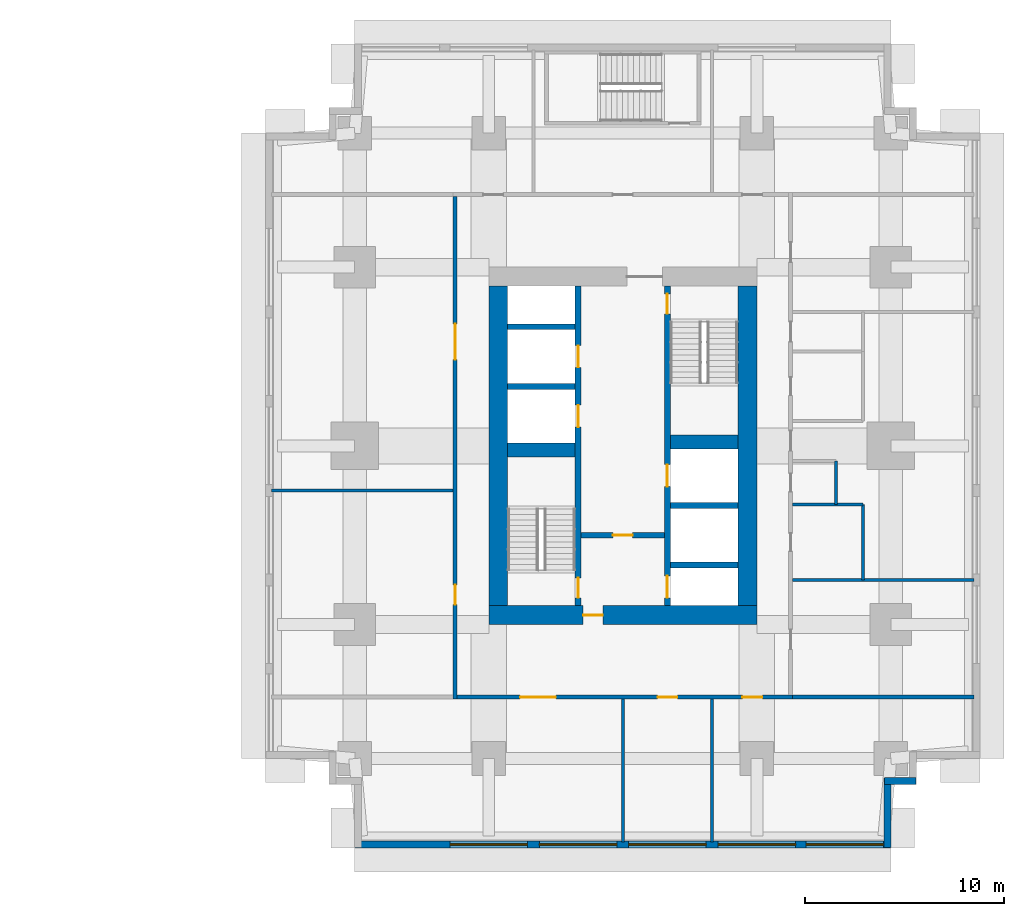
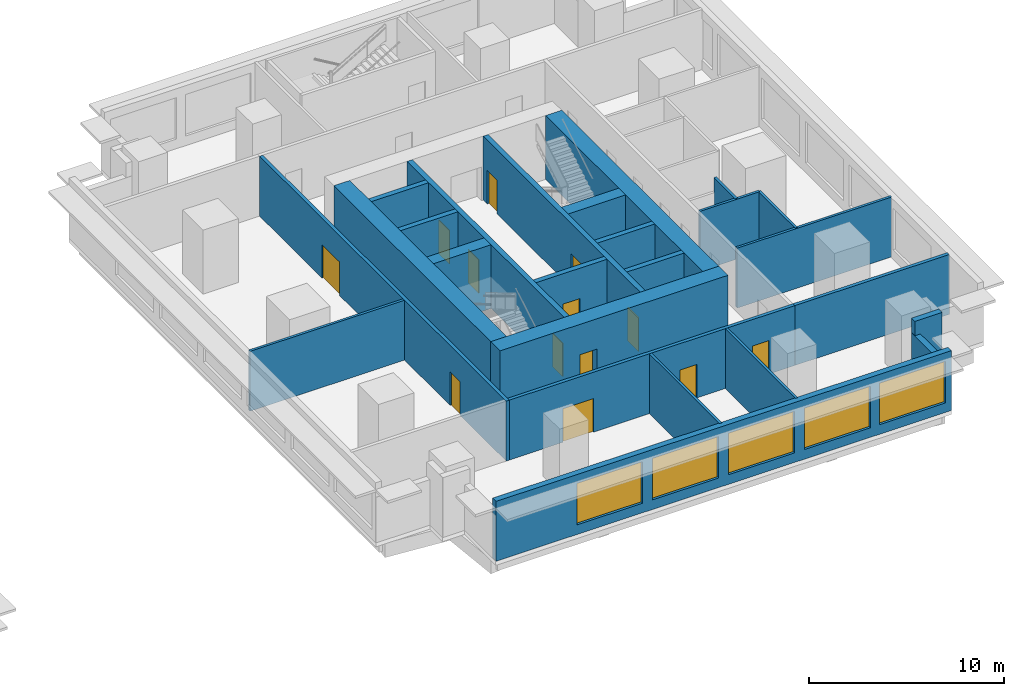
# One storey, part 6 of 11: 25 walls, 13 doors, 5 windows, 18 openings.
"""IFC4 building model written with IfcOpenShell, lengths in metres."""

from ifc_helpers import new_model, si_unit, direction, frame, frame_2d, origin, place, context, subcontext, project, spatial, rectangle, extrude, material, layer, layer_set, type_object, element, fill, save


model = new_model("IFC4")

# Units and contexts
model_context = context("Model", 3, precision=1e-05, world=origin(), true_north=direction((0.0, 1.0)))
body_context = subcontext(model_context, "Body", "Model", "MODEL_VIEW")
ifc_project = project(units=[si_unit("LENGTHUNIT", "METRE"), si_unit("AREAUNIT", "SQUARE_METRE"), si_unit("VOLUMEUNIT", "CUBIC_METRE"), si_unit("PLANEANGLEUNIT", "RADIAN"), si_unit("MASSUNIT", "GRAM", prefix="KILO")], contexts=[model_context])

# Site, building, storey
site_placement = place(None, origin())
site = spatial("IfcSite", under=ifc_project, at=site_placement, CompositionType="ELEMENT")
building_placement = place(site_placement, origin())
building = spatial("IfcBuilding", under=site, at=building_placement, Name="Namib Vertical Campus", CompositionType="ELEMENT")
storey_placement = place(building_placement, frame((0.0, 0.0, 61.0)))
storey = spatial("IfcBuildingStorey", under=building, at=storey_placement, Name="L14", CompositionType="ELEMENT", Elevation=61.0)

# Wall, openings, doors
ifc_material_1 = material(Name="Concrete C60/75", Category="concrete")
ifc_layer_1 = layer(ifc_material_1, 0.300048828125)
ifc_layer_set_1 = layer_set([ifc_layer_1], Name="Concrete C60/75")
wall_type_1 = type_object("IfcWallType", Name="Core inner wall 300", PredefinedType="SHEAR", material=ifc_layer_set_1)
wall_1_placement = place(storey_placement, frame((78.75, 12.199951171875, 0.0), z_axis=(0.0, 0.0, 1.0), x_axis=(0.0, 1.0, 0.0)))
wall_1 = element("IfcWall", 1, at=wall_1_placement, inside=storey, type_object=wall_type_1, Name="Core inner wall B L14 W1", PredefinedType="SHEAR", context=body_context, shape_type="SweptSolid", body=[
    extrude(rectangle(XDim=16.10009765625, YDim=0.300048828125, at=frame_2d((8.050048828125, 0.0))), origin(), (0.0, 0.0, 1.0), 4.0),
])
opening_1_placement = place(wall_1_placement, frame((0.39990234375, 0.0, 0.0)))
opening_1 = element("IfcOpeningElement", 2, at=opening_1_placement, cuts=wall_1, Name="Opening FD1", PredefinedType="OPENING", context=body_context, shape_type="SweptSolid", body=[
    extrude(rectangle(XDim=1.0, YDim=2.10009765625, at=frame_2d((0.5, 1.050048828125))), frame((0.0, 0.159912109375, 0.0), z_axis=(0.0, -1.0, 0.0), x_axis=(1.0, 0.0, 0.0)), (0.0, 0.0, 1.0), 0.320068359375),
])
opening_2_placement = place(wall_1_placement, frame((9.0, 0.0, 0.0)))
opening_2 = element("IfcOpeningElement", 3, at=opening_2_placement, cuts=wall_1, Name="Opening LD1", PredefinedType="OPENING", context=body_context, shape_type="SweptSolid", body=[
    extrude(rectangle(XDim=1.10009765625, YDim=2.10009765625, at=frame_2d((0.550048828125, 1.050048828125))), frame((0.0, 0.159912109375, 0.0), z_axis=(0.0, -1.0, 0.0), x_axis=(1.0, 0.0, 0.0)), (0.0, 0.0, 1.0), 0.320068359375),
])
opening_3_placement = place(wall_1_placement, frame((12.0, 0.0, 0.0)))
opening_3 = element("IfcOpeningElement", 4, at=opening_3_placement, cuts=wall_1, Name="Opening LD1", PredefinedType="OPENING", context=body_context, shape_type="SweptSolid", body=[
    extrude(rectangle(XDim=1.10009765625, YDim=2.10009765625, at=frame_2d((0.550048828125, 1.050048828125))), frame((0.0, 0.159912109375, 0.0), z_axis=(0.0, -1.0, 0.0), x_axis=(1.0, 0.0, 0.0)), (0.0, 0.0, 1.0), 0.320068359375),
])
ifc_material_2 = material(Name="Steel fire door", Category="steel")
door_type_1 = type_object("IfcDoorType", Name="Fire door 1000x2100", OperationType="SINGLE_SWING_RIGHT", PredefinedType="DOOR", material=ifc_material_2)
door_1_placement = place(opening_1_placement, origin())
door_1 = element("IfcDoor", 5, at=door_1_placement, inside=storey, type_object=door_type_1, Name="Stair door FD1 B L14 S1", OperationType="SINGLE_SWING_LEFT", OverallHeight=2.10009765625, OverallWidth=1.0, PredefinedType="DOOR", context=body_context, shape_type="SweptSolid", body=[
    extrude(rectangle(XDim=1.0, YDim=2.10009765625, at=frame_2d((0.5, 1.050048828125))), frame((0.0, 0.02490234375, 0.0), z_axis=(0.0, -1.0, 0.0), x_axis=(1.0, 0.0, 0.0)), (0.0, 0.0, 1.0), 0.050048828125),
])
fill(opening_1, door_1)
ifc_material_3 = material(Name="Stainless steel lift door", Category="steel")
door_type_2 = type_object("IfcDoorType", Name="Lift landing door 1100x2100", OperationType="DOUBLE_DOOR_SLIDING", PredefinedType="DOOR", material=ifc_material_3)
door_2_placement = place(opening_2_placement, origin())
door_2 = element("IfcDoor", 6, at=door_2_placement, inside=storey, type_object=door_type_2, Name="Lift landing door LD1 B-P1 L14", OperationType="DOUBLE_DOOR_SLIDING", OverallHeight=2.10009765625, OverallWidth=1.10009765625, PredefinedType="DOOR", context=body_context, shape_type="SweptSolid", body=[
    extrude(rectangle(XDim=1.10009765625, YDim=2.10009765625, at=frame_2d((0.550048828125, 1.050048828125))), frame((0.0, 0.02490234375, 0.0), z_axis=(0.0, -1.0, 0.0), x_axis=(1.0, 0.0, 0.0)), (0.0, 0.0, 1.0), 0.050048828125),
])
fill(opening_2, door_2)
door_3_placement = place(opening_3_placement, origin())
door_3 = element("IfcDoor", 7, at=door_3_placement, inside=storey, type_object=door_type_2, Name="Lift landing door LD1 B-P2 L14", OperationType="DOUBLE_DOOR_SLIDING", OverallHeight=2.10009765625, OverallWidth=1.10009765625, PredefinedType="DOOR", context=body_context, shape_type="SweptSolid", body=[
    extrude(rectangle(XDim=1.10009765625, YDim=2.10009765625, at=frame_2d((0.550048828125, 1.050048828125))), frame((0.0, 0.02490234375, 0.0), z_axis=(0.0, -1.0, 0.0), x_axis=(1.0, 0.0, 0.0)), (0.0, 0.0, 1.0), 0.050048828125),
])
fill(opening_3, door_3)

wall_2_placement = place(storey_placement, frame((83.25, 12.199951171875, 0.0), z_axis=(0.0, 0.0, 1.0), x_axis=(0.0, 1.0, 0.0)))
wall_2 = element("IfcWall", 8, at=wall_2_placement, inside=storey, type_object=wall_type_1, Name="Core inner wall B L14 W2", PredefinedType="SHEAR", context=body_context, shape_type="SweptSolid", body=[
    extrude(rectangle(XDim=16.10009765625, YDim=0.300048828125, at=frame_2d((8.050048828125, 0.0))), origin(), (0.0, 0.0, 1.0), 4.0),
])
opening_4_placement = place(wall_2_placement, frame((14.699951171875, 0.0, 0.0)))
opening_4 = element("IfcOpeningElement", 9, at=opening_4_placement, cuts=wall_2, Name="Opening FD1", PredefinedType="OPENING", context=body_context, shape_type="SweptSolid", body=[
    extrude(rectangle(XDim=1.0, YDim=2.10009765625, at=frame_2d((0.5, 1.050048828125))), frame((0.0, 0.159912109375, 0.0), z_axis=(0.0, -1.0, 0.0), x_axis=(1.0, 0.0, 0.0)), (0.0, 0.0, 1.0), 0.320068359375),
])
opening_5_placement = place(wall_2_placement, frame((0.39990234375, 0.0, 0.0)))
opening_5 = element("IfcOpeningElement", 10, at=opening_5_placement, cuts=wall_2, Name="Opening LD1", PredefinedType="OPENING", context=body_context, shape_type="SweptSolid", body=[
    extrude(rectangle(XDim=1.10009765625, YDim=2.10009765625, at=frame_2d((0.550048828125, 1.050048828125))), frame((0.0, 0.159912109375, 0.0), z_axis=(0.0, -1.0, 0.0), x_axis=(1.0, 0.0, 0.0)), (0.0, 0.0, 1.0), 0.320068359375),
])
opening_6_placement = place(wall_2_placement, frame((6.0, 0.0, 0.0)))
opening_6 = element("IfcOpeningElement", 11, at=opening_6_placement, cuts=wall_2, Name="Opening LD1", PredefinedType="OPENING", context=body_context, shape_type="SweptSolid", body=[
    extrude(rectangle(XDim=1.10009765625, YDim=2.10009765625, at=frame_2d((0.550048828125, 1.050048828125))), frame((0.0, 0.159912109375, 0.0), z_axis=(0.0, -1.0, 0.0), x_axis=(1.0, 0.0, 0.0)), (0.0, 0.0, 1.0), 0.320068359375),
])
door_4_placement = place(opening_4_placement, frame((1.0, 0.0, 0.0), z_axis=(0.0, 0.0, 1.0), x_axis=(-1.0, 0.0, 0.0)))
door_4 = element("IfcDoor", 12, at=door_4_placement, inside=storey, type_object=door_type_1, Name="Stair door FD1 B L14 S2", OperationType="SINGLE_SWING_LEFT", OverallHeight=2.10009765625, OverallWidth=1.0, PredefinedType="DOOR", context=body_context, shape_type="SweptSolid", body=[
    extrude(rectangle(XDim=1.0, YDim=2.10009765625, at=frame_2d((0.5, 1.050048828125))), frame((0.0, 0.02490234375, 0.0), z_axis=(0.0, -1.0, 0.0), x_axis=(1.0, 0.0, 0.0)), (0.0, 0.0, 1.0), 0.050048828125),
])
fill(opening_4, door_4)
door_5_placement = place(opening_5_placement, origin())
door_5 = element("IfcDoor", 13, at=door_5_placement, inside=storey, type_object=door_type_2, Name="Lift landing door LD1 B-FL1 L14", OperationType="DOUBLE_DOOR_SLIDING", OverallHeight=2.10009765625, OverallWidth=1.10009765625, PredefinedType="DOOR", context=body_context, shape_type="SweptSolid", body=[
    extrude(rectangle(XDim=1.10009765625, YDim=2.10009765625, at=frame_2d((0.550048828125, 1.050048828125))), frame((0.0, 0.02490234375, 0.0), z_axis=(0.0, -1.0, 0.0), x_axis=(1.0, 0.0, 0.0)), (0.0, 0.0, 1.0), 0.050048828125),
])
fill(opening_5, door_5)
door_6_placement = place(opening_6_placement, origin())
door_6 = element("IfcDoor", 14, at=door_6_placement, inside=storey, type_object=door_type_2, Name="Lift landing door LD1 B-P5 L14", OperationType="DOUBLE_DOOR_SLIDING", OverallHeight=2.10009765625, OverallWidth=1.10009765625, PredefinedType="DOOR", context=body_context, shape_type="SweptSolid", body=[
    extrude(rectangle(XDim=1.10009765625, YDim=2.10009765625, at=frame_2d((0.550048828125, 1.050048828125))), frame((0.0, 0.02490234375, 0.0), z_axis=(0.0, -1.0, 0.0), x_axis=(1.0, 0.0, 0.0)), (0.0, 0.0, 1.0), 0.050048828125),
])
fill(opening_6, door_6)

# Wall, opening, door
wall_3_placement = place(storey_placement, frame((78.89990234375, 15.75, 0.0), z_axis=(0.0, 0.0, 1.0), x_axis=(1.0, 0.0, 0.0)))
wall_3 = element("IfcWall", 15, at=wall_3_placement, inside=storey, type_object=wall_type_1, Name="Core inner wall B L14 W4", PredefinedType="SHEAR", context=body_context, shape_type="SweptSolid", body=[
    extrude(rectangle(XDim=4.2001953125, YDim=0.300048828125, at=frame_2d((2.10009765625, 0.0))), origin(), (0.0, 0.0, 1.0), 4.0),
])
opening_7_placement = place(wall_3_placement, frame((1.60009765625, 0.0, 0.0)))
opening_7 = element("IfcOpeningElement", 16, at=opening_7_placement, cuts=wall_3, Name="Opening FD5", PredefinedType="OPENING", context=body_context, shape_type="SweptSolid", body=[
    extrude(rectangle(XDim=1.0, YDim=2.10009765625, at=frame_2d((0.5, 1.050048828125))), frame((0.0, 0.159912109375, 0.0), z_axis=(0.0, -1.0, 0.0), x_axis=(1.0, 0.0, 0.0)), (0.0, 0.0, 1.0), 0.320068359375),
])
ifc_material_4 = material(Name="Steel fire door", Category="steel")
door_type_3 = type_object("IfcDoorType", Name="Fire door 1000x2100 120 min", OperationType="SINGLE_SWING_RIGHT", PredefinedType="DOOR", material=ifc_material_4)
door_7_placement = place(opening_7_placement, frame((1.0, 0.0, 0.0), z_axis=(0.0, 0.0, 1.0), x_axis=(-1.0, 0.0, 0.0)))
door_7 = element("IfcDoor", 17, at=door_7_placement, inside=storey, type_object=door_type_3, Name="Lobby door FD5 B L14", OperationType="SINGLE_SWING_RIGHT", OverallHeight=2.10009765625, OverallWidth=1.0, PredefinedType="DOOR", context=body_context, shape_type="SweptSolid", body=[
    extrude(rectangle(XDim=1.0, YDim=2.10009765625, at=frame_2d((0.5, 1.050048828125))), frame((0.0, 0.02490234375, 0.0), z_axis=(0.0, -1.0, 0.0), x_axis=(1.0, 0.0, 0.0)), (0.0, 0.0, 1.0), 0.050048828125),
])
fill(opening_7, door_7)

# Walls
for number, where, z_axis, x_axis, name in (
    (18, (83.39990234375, 14.25, 0.0), (0.0, 0.0, 1.0), (1.0, 0.0, 0.0), "Core inner wall B L14 W5"),
    (19, (83.39990234375, 17.25, 0.0), (0.0, 0.0, 1.0), (1.0, 0.0, 0.0), "Core inner wall B L14 W6"),
    (20, (75.199951171875, 23.25, 0.0), (0.0, 0.0, 1.0), (1.0, 0.0, 0.0), "Core inner wall B L14 W8"),
    (21, (75.199951171875, 26.25, 0.0), (0.0, 0.0, 1.0), (1.0, 0.0, 0.0), "Core inner wall B L14 W9"),
):
    element("IfcWall", number, at=place(storey_placement, frame(where, z_axis=z_axis, x_axis=x_axis)), inside=storey, type_object=wall_type_1, Name=name, PredefinedType="SHEAR", context=body_context, shape_type="SweptSolid", body=[
        extrude(rectangle(XDim=3.400146484375, YDim=0.300048828125, at=frame_2d((1.7001953125, 0.0))), origin(), (0.0, 0.0, 1.0), 4.0),
    ])
ifc_material_5 = material(Name="Concrete C60/75", Category="concrete")
ifc_layer_2 = layer(ifc_material_5, 0.699951171875)
ifc_layer_set_2 = layer_set([ifc_layer_2], Name="Concrete C60/75")
wall_type_2 = type_object("IfcWallType", Name="Core shear wall 700", PredefinedType="SHEAR", material=ifc_layer_set_2)
for number, where, z_axis, x_axis, name in (
    (22, (75.199951171875, 20.050048828125, 0.0), (0.0, 0.0, 1.0), (1.0, 0.0, 0.0), "Core shear wall B L14 W3"),
    (23, (83.39990234375, 20.449951171875, 0.0), (0.0, 0.0, 1.0), (1.0, 0.0, 0.0), "Core shear wall B L14 W7"),
):
    element("IfcWall", number, at=place(storey_placement, frame(where, z_axis=z_axis, x_axis=x_axis)), inside=storey, type_object=wall_type_2, Name=name, PredefinedType="SHEAR", context=body_context, shape_type="SweptSolid", body=[
        extrude(rectangle(XDim=3.400146484375, YDim=0.699951171875, at=frame_2d((1.7001953125, 0.0))), origin(), (0.0, 0.0, 1.0), 4.0),
    ])

# Wall, opening, door
ifc_material_6 = material(Name="Concrete C60/75", Category="concrete")
ifc_layer_3 = layer(ifc_material_6, 0.949951171875)
ifc_layer_set_3 = layer_set([ifc_layer_3], Name="Concrete C60/75")
wall_type_3 = type_object("IfcWallType", Name="Core wall 950", PredefinedType="SHEAR", material=ifc_layer_set_3)
wall_4_placement = place(storey_placement, frame((74.25, 11.72509765625, 0.0), z_axis=(0.0, 0.0, 1.0), x_axis=(1.0, 0.0, 0.0)))
wall_4 = element("IfcWall", 24, at=wall_4_placement, inside=storey, type_object=wall_type_3, Name="Core wall B L14 1", PredefinedType="SHEAR", context=body_context, shape_type="SweptSolid", body=[
    extrude(rectangle(XDim=13.5, YDim=0.949951171875, at=frame_2d((6.75, 0.0))), origin(), (0.0, 0.0, 1.0), 4.0),
])
opening_8_placement = place(wall_4_placement, frame((4.75, 0.0, 0.0)))
opening_8 = element("IfcOpeningElement", 25, at=opening_8_placement, cuts=wall_4, Name="Opening FD5", PredefinedType="OPENING", context=body_context, shape_type="SweptSolid", body=[
    extrude(rectangle(XDim=1.0, YDim=2.10009765625, at=frame_2d((0.5, 1.050048828125))), frame((0.0, 0.48486328125, 0.0), z_axis=(0.0, -1.0, 0.0), x_axis=(1.0, 0.0, 0.0)), (0.0, 0.0, 1.0), 0.969970703125),
])
door_8_placement = place(opening_8_placement, origin())
door_8 = element("IfcDoor", 26, at=door_8_placement, inside=storey, type_object=door_type_3, Name="Firefighting lobby door FD5 B L14", OperationType="SINGLE_SWING_LEFT", OverallHeight=2.10009765625, OverallWidth=1.0, PredefinedType="DOOR", context=body_context, shape_type="SweptSolid", body=[
    extrude(rectangle(XDim=1.0, YDim=2.10009765625, at=frame_2d((0.5, 1.050048828125))), frame((0.0, 0.02490234375, 0.0), z_axis=(0.0, -1.0, 0.0), x_axis=(1.0, 0.0, 0.0)), (0.0, 0.0, 1.0), 0.050048828125),
])
fill(opening_8, door_8)

# Walls
for number, where, z_axis, x_axis, name in (
    (27, (87.27490234375, 12.199951171875, 0.0), (0.0, 0.0, 1.0), (0.0, 1.0, 0.0), "Core wall B L14 2"),
    (28, (74.72509765625, 28.300048828125, 0.0), (0.0, 0.0, 1.0), (0.0, -1.0, 0.0), "Core wall B L14 4"),
):
    element("IfcWall", number, at=place(storey_placement, frame(where, z_axis=z_axis, x_axis=x_axis)), inside=storey, type_object=wall_type_3, Name=name, PredefinedType="SHEAR", context=body_context, shape_type="SweptSolid", body=[
        extrude(rectangle(XDim=16.10009765625, YDim=0.949951171875, at=frame_2d((8.050048828125, 0.0))), origin(), (0.0, 0.0, 1.0), 4.0),
    ])

# Wall, openings, doors
ifc_material_7 = material(Name="Concrete masonry", Category="masonry")
ifc_layer_4 = layer(ifc_material_7, 0.199951171875)
ifc_layer_set_4 = layer_set([ifc_layer_4], Name="Corridor wall 200")
wall_type_4 = type_object("IfcWallType", Name="Corridor wall 200", PredefinedType="SOLIDWALL", material=ifc_layer_set_4)
wall_5_placement = place(storey_placement, frame((72.64990234375, 7.60009765625, 0.0), z_axis=(0.0, 0.0, 1.0), x_axis=(1.0, 0.0, 0.0)))
wall_5 = element("IfcWall", 29, at=wall_5_placement, inside=storey, type_object=wall_type_4, Name="Corridor wall B L14 CS", PredefinedType="SOLIDWALL", context=body_context, shape_type="SweptSolid", body=[
    extrude(rectangle(XDim=16.900146484375, YDim=0.199951171875, at=frame_2d((8.4501953125, 0.0))), origin(), (0.0, 0.0, 1.0), 3.75),
])
opening_9_placement = place(wall_5_placement, frame((3.175048828125, 0.0, 0.0)))
opening_9 = element("IfcOpeningElement", 30, at=opening_9_placement, cuts=wall_5, Name="Opening CD2", PredefinedType="OPENING", context=body_context, shape_type="SweptSolid", body=[
    extrude(rectangle(XDim=1.800048828125, YDim=2.10009765625, at=frame_2d((0.89990234375, 1.050048828125))), frame((0.0, 0.10986328125, 0.0), z_axis=(0.0, -1.0, 0.0), x_axis=(1.0, 0.0, 0.0)), (0.0, 0.0, 1.0), 0.219970703125),
])
opening_10_placement = place(wall_5_placement, frame((10.10009765625, 0.0, 0.0)))
opening_10 = element("IfcOpeningElement", 31, at=opening_10_placement, cuts=wall_5, Name="Opening CD1", PredefinedType="OPENING", context=body_context, shape_type="SweptSolid", body=[
    extrude(rectangle(XDim=1.0, YDim=2.10009765625, at=frame_2d((0.5, 1.050048828125))), frame((0.0, 0.10986328125, 0.0), z_axis=(0.0, -1.0, 0.0), x_axis=(1.0, 0.0, 0.0)), (0.0, 0.0, 1.0), 0.219970703125),
])
opening_11_placement = place(wall_5_placement, frame((14.375, 0.0, 0.0)))
opening_11 = element("IfcOpeningElement", 32, at=opening_11_placement, cuts=wall_5, Name="Opening CD1", PredefinedType="OPENING", context=body_context, shape_type="SweptSolid", body=[
    extrude(rectangle(XDim=1.0, YDim=2.10009765625, at=frame_2d((0.5, 1.050048828125))), frame((0.0, 0.10986328125, 0.0), z_axis=(0.0, -1.0, 0.0), x_axis=(1.0, 0.0, 0.0)), (0.0, 0.0, 1.0), 0.219970703125),
])
ifc_material_8 = material(Name="Timber fire door leaf", Category="wood")
door_type_4 = type_object("IfcDoorType", Name="Corridor door 1000x2100 20 min", OperationType="SINGLE_SWING_LEFT", PredefinedType="DOOR", material=ifc_material_8)
door_9_placement = place(opening_10_placement, frame((1.0, 0.0, 0.0), z_axis=(0.0, 0.0, 1.0), x_axis=(-1.0, 0.0, 0.0)))
door_9 = element("IfcDoor", 33, at=door_9_placement, inside=storey, type_object=door_type_4, Name="Door CD1 B14-02", OperationType="SINGLE_SWING_RIGHT", OverallHeight=2.10009765625, OverallWidth=1.0, PredefinedType="DOOR", context=body_context, shape_type="SweptSolid", body=[
    extrude(rectangle(XDim=1.0, YDim=2.10009765625, at=frame_2d((0.5, 1.050048828125))), frame((0.0, 0.02490234375, 0.0), z_axis=(0.0, -1.0, 0.0), x_axis=(1.0, 0.0, 0.0)), (0.0, 0.0, 1.0), 0.050048828125),
])
fill(opening_10, door_9)
door_10_placement = place(opening_11_placement, frame((1.0, 0.0, 0.0), z_axis=(0.0, 0.0, 1.0), x_axis=(-1.0, 0.0, 0.0)))
door_10 = element("IfcDoor", 34, at=door_10_placement, inside=storey, type_object=door_type_4, Name="Door CD1 B14-03", OperationType="SINGLE_SWING_RIGHT", OverallHeight=2.10009765625, OverallWidth=1.0, PredefinedType="DOOR", context=body_context, shape_type="SweptSolid", body=[
    extrude(rectangle(XDim=1.0, YDim=2.10009765625, at=frame_2d((0.5, 1.050048828125))), frame((0.0, 0.02490234375, 0.0), z_axis=(0.0, -1.0, 0.0), x_axis=(1.0, 0.0, 0.0)), (0.0, 0.0, 1.0), 0.050048828125),
])
fill(opening_11, door_10)
ifc_material_9 = material(Name="Timber fire door leaf", Category="wood")
door_type_5 = type_object("IfcDoorType", Name="Corridor door double 1800x2100 20 min", OperationType="DOUBLE_DOOR_SINGLE_SWING", PredefinedType="DOOR", material=ifc_material_9)
door_11_placement = place(opening_9_placement, frame((1.800048828125, 0.0, 0.0), z_axis=(0.0, 0.0, 1.0), x_axis=(-1.0, 0.0, 0.0)))
door_11 = element("IfcDoor", 35, at=door_11_placement, inside=storey, type_object=door_type_5, Name="Door CD2 B14-01", OperationType="DOUBLE_DOOR_SINGLE_SWING", OverallHeight=2.10009765625, OverallWidth=1.800048828125, PredefinedType="DOOR", context=body_context, shape_type="SweptSolid", body=[
    extrude(rectangle(XDim=1.800048828125, YDim=2.10009765625, at=frame_2d((0.89990234375, 1.050048828125))), frame((0.0, 0.02490234375, 0.0), z_axis=(0.0, -1.0, 0.0), x_axis=(1.0, 0.0, 0.0)), (0.0, 0.0, 1.0), 0.050048828125),
])
fill(opening_9, door_11)

wall_6_placement = place(storey_placement, frame((72.550048828125, 32.800048828125, 0.0), z_axis=(0.0, 0.0, 1.0), x_axis=(0.0, -1.0, 0.0)))
wall_6 = element("IfcWall", 36, at=wall_6_placement, inside=storey, type_object=wall_type_4, Name="Corridor wall B L14 CW", PredefinedType="SOLIDWALL", context=body_context, shape_type="SweptSolid", body=[
    extrude(rectangle(XDim=25.300048828125, YDim=0.199951171875, at=frame_2d((12.64990234375, 0.0))), origin(), (0.0, 0.0, 1.0), 3.75),
])
opening_12_placement = place(wall_6_placement, frame((19.550048828125, 0.0, 0.0)))
opening_12 = element("IfcOpeningElement", 37, at=opening_12_placement, cuts=wall_6, Name="Opening CD1", PredefinedType="OPENING", context=body_context, shape_type="SweptSolid", body=[
    extrude(rectangle(XDim=1.0, YDim=2.10009765625, at=frame_2d((0.5, 1.050048828125))), frame((0.0, 0.10986328125, 0.0), z_axis=(0.0, -1.0, 0.0), x_axis=(1.0, 0.0, 0.0)), (0.0, 0.0, 1.0), 0.219970703125),
])
opening_13_placement = place(wall_6_placement, frame((6.39990234375, 0.0, 0.0)))
opening_13 = element("IfcOpeningElement", 38, at=opening_13_placement, cuts=wall_6, Name="Opening CD2", PredefinedType="OPENING", context=body_context, shape_type="SweptSolid", body=[
    extrude(rectangle(XDim=1.800048828125, YDim=2.10009765625, at=frame_2d((0.89990234375, 1.050048828125))), frame((0.0, 0.10986328125, 0.0), z_axis=(0.0, -1.0, 0.0), x_axis=(1.0, 0.0, 0.0)), (0.0, 0.0, 1.0), 0.219970703125),
])
door_12_placement = place(opening_12_placement, frame((1.0, 0.0, 0.0), z_axis=(0.0, 0.0, 1.0), x_axis=(-1.0, 0.0, 0.0)))
door_12 = element("IfcDoor", 39, at=door_12_placement, inside=storey, type_object=door_type_4, Name="Door CD1 B14-14", OperationType="SINGLE_SWING_RIGHT", OverallHeight=2.10009765625, OverallWidth=1.0, PredefinedType="DOOR", context=body_context, shape_type="SweptSolid", body=[
    extrude(rectangle(XDim=1.0, YDim=2.10009765625, at=frame_2d((0.5, 1.050048828125))), frame((0.0, 0.02490234375, 0.0), z_axis=(0.0, -1.0, 0.0), x_axis=(1.0, 0.0, 0.0)), (0.0, 0.0, 1.0), 0.050048828125),
])
fill(opening_12, door_12)
door_13_placement = place(opening_13_placement, frame((1.800048828125, 0.0, 0.0), z_axis=(0.0, 0.0, 1.0), x_axis=(-1.0, 0.0, 0.0)))
door_13 = element("IfcDoor", 40, at=door_13_placement, inside=storey, type_object=door_type_5, Name="Door CD2 B14-15", OperationType="DOUBLE_DOOR_SINGLE_SWING", OverallHeight=2.10009765625, OverallWidth=1.800048828125, PredefinedType="DOOR", context=body_context, shape_type="SweptSolid", body=[
    extrude(rectangle(XDim=1.800048828125, YDim=2.10009765625, at=frame_2d((0.89990234375, 1.050048828125))), frame((0.0, 0.02490234375, 0.0), z_axis=(0.0, -1.0, 0.0), x_axis=(1.0, 0.0, 0.0)), (0.0, 0.0, 1.0), 0.050048828125),
])
fill(opening_13, door_13)

# Wall
wall_7_placement = place(storey_placement, frame((89.550048828125, 7.60009765625, 0.0), z_axis=(0.0, 0.0, 1.0), x_axis=(1.0, 0.0, 0.0)))
element("IfcWall", 41, at=wall_7_placement, inside=storey, type_object=wall_type_4, Name="Partition B L14 BSE", PredefinedType="SOLIDWALL", context=body_context, shape_type="SweptSolid", body=[
    extrude(rectangle(XDim=9.14990234375, YDim=0.199951171875, at=frame_2d((4.574951171875, 0.0))), origin(), (0.0, 0.0, 1.0), 3.75),
])

# Wall, openings, windows
ifc_material_10 = material(Name="Concrete C40/50", Category="concrete")
ifc_layer_5 = layer(ifc_material_10, 0.35009765625)
ifc_layer_set_5 = layer_set([ifc_layer_5], Name="Concrete C40/50")
wall_type_5 = type_object("IfcWallType", Name="External wall 350 bush-hammered concrete", PredefinedType="STANDARD", material=ifc_layer_set_5)
wall_8_placement = place(storey_placement, frame((67.52001953125, 0.175048828125, 0.0), z_axis=(0.0, 0.0, 1.0), x_axis=(1.0, 0.0, 0.0)))
wall_8 = element("IfcWall", 42, at=wall_8_placement, inside=storey, type_object=wall_type_5, Name="External wall L14 F01", PredefinedType="STANDARD", context=body_context, shape_type="SweptSolid", body=[
    extrude(rectangle(XDim=26.9599609375, YDim=0.35009765625, at=frame_2d((13.47998046875, 0.0))), origin(), (0.0, 0.0, 1.0), 3.75),
])
opening_14_placement = place(wall_8_placement, frame((4.780029296875, 0.0, 0.60009765625)))
opening_14 = element("IfcOpeningElement", 43, at=opening_14_placement, cuts=wall_8, Name="Opening W2", PredefinedType="OPENING", context=body_context, shape_type="SweptSolid", body=[
    extrude(rectangle(XDim=3.89990234375, YDim=2.60009765625, at=frame_2d((1.949951171875, 1.300048828125))), frame((0.0, 0.18505859375, 0.0), z_axis=(0.0, -1.0, 0.0), x_axis=(1.0, 0.0, 0.0)), (0.0, 0.0, 1.0), 0.3701171875),
])
opening_15_placement = place(wall_8_placement, frame((9.280029296875, 0.0, 0.60009765625)))
opening_15 = element("IfcOpeningElement", 44, at=opening_15_placement, cuts=wall_8, Name="Opening W2", PredefinedType="OPENING", context=body_context, shape_type="SweptSolid", body=[
    extrude(rectangle(XDim=3.89990234375, YDim=2.60009765625, at=frame_2d((1.949951171875, 1.300048828125))), frame((0.0, 0.18505859375, 0.0), z_axis=(0.0, -1.0, 0.0), x_axis=(1.0, 0.0, 0.0)), (0.0, 0.0, 1.0), 0.3701171875),
])
opening_16_placement = place(wall_8_placement, frame((13.780029296875, 0.0, 0.60009765625)))
opening_16 = element("IfcOpeningElement", 45, at=opening_16_placement, cuts=wall_8, Name="Opening W2", PredefinedType="OPENING", context=body_context, shape_type="SweptSolid", body=[
    extrude(rectangle(XDim=3.89990234375, YDim=2.60009765625, at=frame_2d((1.949951171875, 1.300048828125))), frame((0.0, 0.18505859375, 0.0), z_axis=(0.0, -1.0, 0.0), x_axis=(1.0, 0.0, 0.0)), (0.0, 0.0, 1.0), 0.3701171875),
])
opening_17_placement = place(wall_8_placement, frame((18.280029296875, 0.0, 0.60009765625)))
opening_17 = element("IfcOpeningElement", 46, at=opening_17_placement, cuts=wall_8, Name="Opening W2", PredefinedType="OPENING", context=body_context, shape_type="SweptSolid", body=[
    extrude(rectangle(XDim=3.89990234375, YDim=2.60009765625, at=frame_2d((1.949951171875, 1.300048828125))), frame((0.0, 0.18505859375, 0.0), z_axis=(0.0, -1.0, 0.0), x_axis=(1.0, 0.0, 0.0)), (0.0, 0.0, 1.0), 0.3701171875),
])
opening_18_placement = place(wall_8_placement, frame((22.7099609375, 0.0, 0.60009765625)))
opening_18 = element("IfcOpeningElement", 47, at=opening_18_placement, cuts=wall_8, Name="Opening W2", PredefinedType="OPENING", context=body_context, shape_type="SweptSolid", body=[
    extrude(rectangle(XDim=3.89990234375, YDim=2.60009765625, at=frame_2d((1.949951171875, 1.300048828125))), frame((0.0, 0.18505859375, 0.0), z_axis=(0.0, -1.0, 0.0), x_axis=(1.0, 0.0, 0.0)), (0.0, 0.0, 1.0), 0.3701171875),
])
ifc_material_11 = material(Name="Dark tinted glass in black aluminium frame", Category="aluminium")
window_type = type_object("IfcWindowType", Name="Ribbon window 3900x2600", PartitioningType="SINGLE_PANEL", PredefinedType="WINDOW", material=ifc_material_11)
window_1_placement = place(opening_14_placement, origin())
window_1 = element("IfcWindow", 48, at=window_1_placement, inside=storey, type_object=window_type, Name="Window W2 L14 F01-2", OverallHeight=2.60009765625, OverallWidth=3.89990234375, PartitioningType="SINGLE_PANEL", PredefinedType="WINDOW", context=body_context, shape_type="SweptSolid", body=[
    extrude(rectangle(XDim=3.89990234375, YDim=2.60009765625, at=frame_2d((1.949951171875, 1.300048828125))), frame((0.0, 0.030029296875, 0.0), z_axis=(0.0, -1.0, 0.0), x_axis=(1.0, 0.0, 0.0)), (0.0, 0.0, 1.0), 0.06005859375),
])
fill(opening_14, window_1)
window_2_placement = place(opening_15_placement, origin())
window_2 = element("IfcWindow", 49, at=window_2_placement, inside=storey, type_object=window_type, Name="Window W2 L14 F01-3", OverallHeight=2.60009765625, OverallWidth=3.89990234375, PartitioningType="SINGLE_PANEL", PredefinedType="WINDOW", context=body_context, shape_type="SweptSolid", body=[
    extrude(rectangle(XDim=3.89990234375, YDim=2.60009765625, at=frame_2d((1.949951171875, 1.300048828125))), frame((0.0, 0.030029296875, 0.0), z_axis=(0.0, -1.0, 0.0), x_axis=(1.0, 0.0, 0.0)), (0.0, 0.0, 1.0), 0.06005859375),
])
fill(opening_15, window_2)
window_3_placement = place(opening_16_placement, origin())
window_3 = element("IfcWindow", 50, at=window_3_placement, inside=storey, type_object=window_type, Name="Window W2 L14 F01-4", OverallHeight=2.60009765625, OverallWidth=3.89990234375, PartitioningType="SINGLE_PANEL", PredefinedType="WINDOW", context=body_context, shape_type="SweptSolid", body=[
    extrude(rectangle(XDim=3.89990234375, YDim=2.60009765625, at=frame_2d((1.949951171875, 1.300048828125))), frame((0.0, 0.030029296875, 0.0), z_axis=(0.0, -1.0, 0.0), x_axis=(1.0, 0.0, 0.0)), (0.0, 0.0, 1.0), 0.06005859375),
])
fill(opening_16, window_3)
window_4_placement = place(opening_17_placement, origin())
window_4 = element("IfcWindow", 51, at=window_4_placement, inside=storey, type_object=window_type, Name="Window W2 L14 F01-5", OverallHeight=2.60009765625, OverallWidth=3.89990234375, PartitioningType="SINGLE_PANEL", PredefinedType="WINDOW", context=body_context, shape_type="SweptSolid", body=[
    extrude(rectangle(XDim=3.89990234375, YDim=2.60009765625, at=frame_2d((1.949951171875, 1.300048828125))), frame((0.0, 0.030029296875, 0.0), z_axis=(0.0, -1.0, 0.0), x_axis=(1.0, 0.0, 0.0)), (0.0, 0.0, 1.0), 0.06005859375),
])
fill(opening_17, window_4)
window_5_placement = place(opening_18_placement, origin())
window_5 = element("IfcWindow", 52, at=window_5_placement, inside=storey, type_object=window_type, Name="Window W2 L14 F01-6", OverallHeight=2.60009765625, OverallWidth=3.89990234375, PartitioningType="SINGLE_PANEL", PredefinedType="WINDOW", context=body_context, shape_type="SweptSolid", body=[
    extrude(rectangle(XDim=3.89990234375, YDim=2.60009765625, at=frame_2d((1.949951171875, 1.300048828125))), frame((0.0, 0.030029296875, 0.0), z_axis=(0.0, -1.0, 0.0), x_axis=(1.0, 0.0, 0.0)), (0.0, 0.0, 1.0), 0.06005859375),
])
fill(opening_18, window_5)

# Walls
wall_9_placement = place(storey_placement, frame((94.324951171875, 0.02001953125, 0.0), z_axis=(0.0, 0.0, 1.0), x_axis=(0.0, 1.0, 0.0)))
element("IfcWall", 53, at=wall_9_placement, inside=storey, type_object=wall_type_5, Name="External wall L14 F02", PredefinedType="STANDARD", context=body_context, shape_type="SweptSolid", body=[
    extrude(rectangle(XDim=3.510009765625, YDim=0.35009765625, at=frame_2d((1.7548828125, 0.0))), origin(), (0.0, 0.0, 1.0), 2.85009765625),
])
wall_10_placement = place(storey_placement, frame((94.169921875, 3.375, 0.0), z_axis=(0.0, 0.0, 1.0), x_axis=(1.0, 0.0, 0.0)))
element("IfcWall", 54, at=wall_10_placement, inside=storey, type_object=wall_type_5, Name="External wall L14 F03", PredefinedType="STANDARD", context=body_context, shape_type="SweptSolid", body=[
    extrude(rectangle(XDim=1.610107421875, YDim=0.35009765625, at=frame_2d((0.80517578125, 0.0))), origin(), (0.0, 0.0, 1.0), 3.75),
])
ifc_material_12 = material(Name="Gypsum board on steel studs", Category="steel")
ifc_layer_6 = layer(ifc_material_12, 0.14990234375)
ifc_layer_set_6 = layer_set([ifc_layer_6], Name="Gypsum board on steel studs")
wall_type_6 = type_object("IfcWallType", Name="Partition 150", PredefinedType="PARTITIONING", material=ifc_layer_set_6)
for number, where, z_axis, x_axis, name in (
    (55, (81.0, 0.300048828125, 0.0), (0.0, 0.0, 1.0), (0.0, 1.0, 0.0), "Partition B L14 PS1"),
    (56, (85.5, 0.300048828125, 0.0), (0.0, 0.0, 1.0), (0.0, 1.0, 0.0), "Partition B L14 PS2"),
):
    element("IfcWall", number, at=place(storey_placement, frame(where, z_axis=z_axis, x_axis=x_axis)), inside=storey, type_object=wall_type_6, Name=name, PredefinedType="PARTITIONING", context=body_context, shape_type="SweptSolid", body=[
        extrude(rectangle(XDim=7.199951171875, YDim=0.14990234375, at=frame_2d((3.60009765625, 0.0))), origin(), (0.0, 0.0, 1.0), 3.75),
    ])
for number, where, z_axis, x_axis, name in (
    (57, (89.550048828125, 13.5, 0.0), (0.0, 0.0, 1.0), (1.0, 0.0, 0.0), "Partition B L14 PE1"),
    (58, (63.300048828125, 18.0, 0.0), (0.0, 0.0, 1.0), (1.0, 0.0, 0.0), "Partition B L14 PW1"),
):
    element("IfcWall", number, at=place(storey_placement, frame(where, z_axis=z_axis, x_axis=x_axis)), inside=storey, type_object=wall_type_6, Name=name, PredefinedType="PARTITIONING", context=body_context, shape_type="SweptSolid", body=[
        extrude(rectangle(XDim=9.14990234375, YDim=0.14990234375, at=frame_2d((4.574951171875, 0.0))), origin(), (0.0, 0.0, 1.0), 3.75),
    ])
wall_11_placement = place(storey_placement, frame((89.550048828125, 17.300048828125, 0.0), z_axis=(0.0, 0.0, 1.0), x_axis=(1.0, 0.0, 0.0)))
element("IfcWall", 59, at=wall_11_placement, inside=storey, type_object=wall_type_6, Name="Partition B L14 WR1", PredefinedType="PARTITIONING", context=body_context, shape_type="SweptSolid", body=[
    extrude(rectangle(XDim=3.550048828125, YDim=0.14990234375, at=frame_2d((1.77490234375, 0.0))), origin(), (0.0, 0.0, 1.0), 3.75),
])
wall_12_placement = place(storey_placement, frame((93.10009765625, 13.5, 0.0), z_axis=(0.0, 0.0, 1.0), x_axis=(0.0, 1.0, 0.0)))
element("IfcWall", 60, at=wall_12_placement, inside=storey, type_object=wall_type_6, Name="Partition B L14 WB1", PredefinedType="PARTITIONING", context=body_context, shape_type="SweptSolid", body=[
    extrude(rectangle(XDim=3.800048828125, YDim=0.14990234375, at=frame_2d((1.89990234375, 0.0))), origin(), (0.0, 0.0, 1.0), 3.75),
])
wall_13_placement = place(storey_placement, frame((91.75, 17.300048828125, 0.0), z_axis=(0.0, 0.0, 1.0), x_axis=(0.0, 1.0, 0.0)))
element("IfcWall", 61, at=wall_13_placement, inside=storey, type_object=wall_type_6, Name="Partition B L14 WB2", PredefinedType="PARTITIONING", context=body_context, shape_type="SweptSolid", body=[
    extrude(rectangle(XDim=2.199951171875, YDim=0.14990234375, at=frame_2d((1.10009765625, 0.0))), origin(), (0.0, 0.0, 1.0), 3.75),
])

save(model, "model.ifc")
